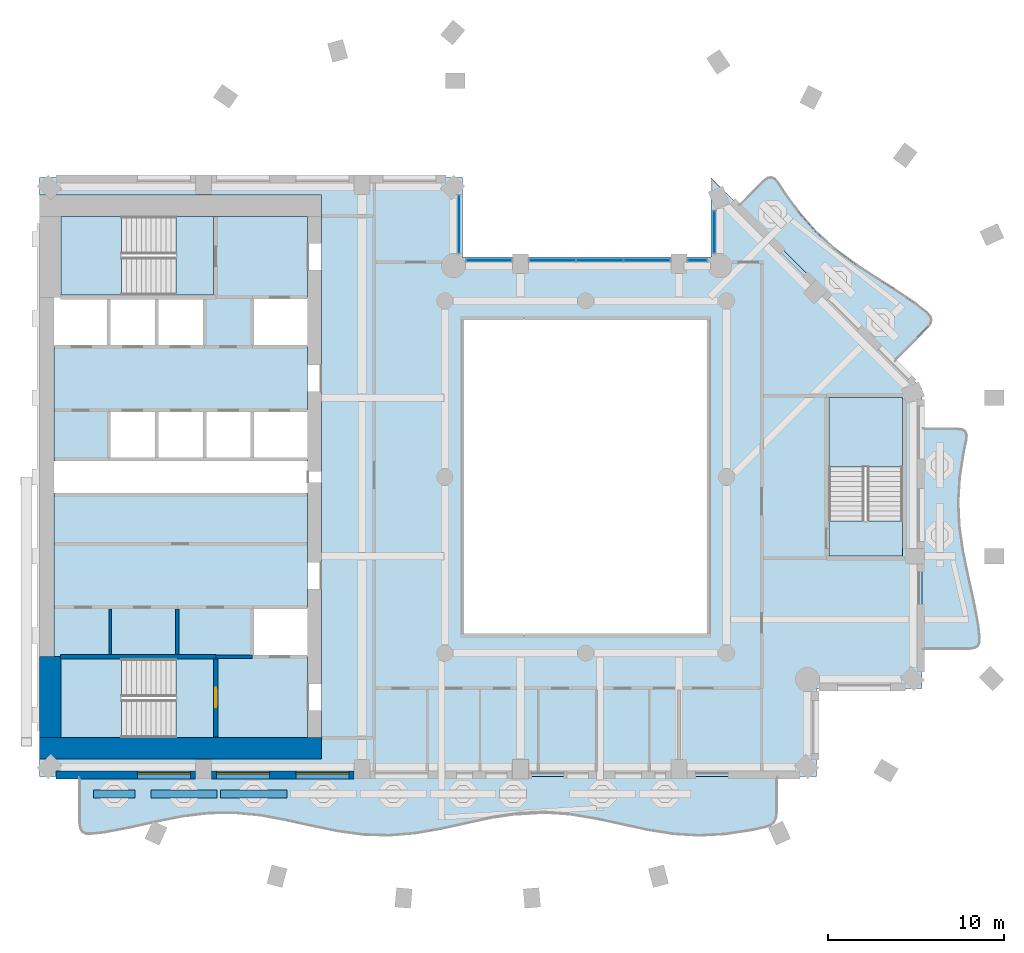
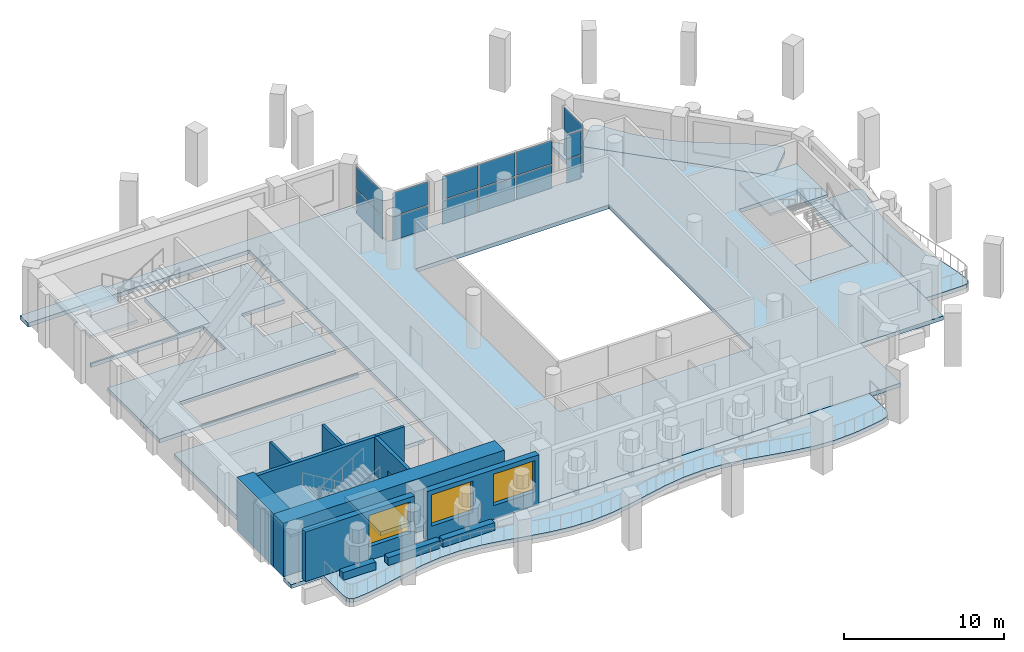
# One storey, part 3 of 16: 14 plates, 12 slabs, 12 walls, 3 windows, 1 door, 4 openings, 8 elements without a shape of their own.
"""IFC4 building model written with IfcOpenShell, lengths in metres."""

import ifcopenshell
import ifcopenshell.guid

model = None  # the IFC model being written
_history = None  # IfcOwnerHistory: only IFC2X3 demands one
_inside = {}  # id of a spatial element -> (the spatial element, [elements in it])
_under = {}  # id of a project, library or spatial element -> (it, [spatial elements below it])
_declared = {}  # id of a project -> (the project, [libraries it declares])
_typed = {}  # id of a type object -> (the type object, [elements of that type])
_made_of = {}  # id of a material, layer set ... -> (it, [elements and type objects made of it])


def new_model(schema):
    """Start an empty IFC model of exactly this schema.

    Asked for "IFC4X3", IfcOpenShell would pick the latest addendum, in which some entities
    have other attributes; the version numbers below select the first issue.
    IFC2X3 requires an IfcOwnerHistory on every rooted entity: one is made here for all.
    """
    global model, _history
    if schema == "IFC4X3":
        model = ifcopenshell.file(schema_version=(4, 3, 0, 0))
    else:
        model = ifcopenshell.file(schema=schema)
    _inside.clear()
    _under.clear()
    _declared.clear()
    _typed.clear()
    _made_of.clear()
    _history = None
    if model.schema == "IFC2X3":
        org = make("IfcOrganization", Name="unknown")
        user = make(
            "IfcPersonAndOrganization",
            ThePerson=make("IfcPerson", FamilyName="unknown"),
            TheOrganization=org,
        )
        app = make(
            "IfcApplication",
            ApplicationDeveloper=org,
            Version="unknown",
            ApplicationFullName="unknown",
            ApplicationIdentifier="unknown",
        )
        _history = make(
            "IfcOwnerHistory",
            OwningUser=user,
            OwningApplication=app,
            ChangeAction="ADDED",
            CreationDate=0,
        )
    return model


def make(cls, **values):
    """One entity of the class cls with the attributes given. An attribute that is None is left unset."""
    return model.create_entity(
        cls, **{name: value for name, value in values.items() if value is not None}
    )


def rooted(cls, **values):
    """An entity with a GlobalId (a new one), such as an element, a storey or a relation."""
    return make(cls, GlobalId=ifcopenshell.guid.new(), OwnerHistory=_history, **values)


def si_unit(unit_type, name, prefix=None):
    """IfcSIUnit, for example si_unit("LENGTHUNIT", "METRE", prefix="MILLI")."""
    return make("IfcSIUnit", UnitType=unit_type, Prefix=prefix, Name=name)


def assignment(units):
    """IfcUnitAssignment: the units of a project."""
    return None if units is None else make("IfcUnitAssignment", Units=units)


def point(xyz):
    """IfcCartesianPoint."""
    return None if xyz is None else make("IfcCartesianPoint", Coordinates=xyz)


def direction(xyz):
    """IfcDirection."""
    return None if xyz is None else make("IfcDirection", DirectionRatios=xyz)


def frame(location, z_axis=None, x_axis=None):
    """IfcAxis2Placement3D, a coordinate frame: its origin and axes. An axis left out is left unset."""
    return make(
        "IfcAxis2Placement3D",
        Location=point(location),
        Axis=direction(z_axis),
        RefDirection=direction(x_axis),
    )


def frame_2d(location, x_axis=None):
    """IfcAxis2Placement2D, a coordinate frame in the plane: its origin and x axis."""
    return make(
        "IfcAxis2Placement2D", Location=point(location), RefDirection=direction(x_axis)
    )


def origin():
    """The frame at (0, 0, 0) with its axes left unset."""
    return frame((0.0, 0.0, 0.0))


def origin_2d():
    """The frame at (0, 0) in the plane with its x axis left unset."""
    return frame_2d((0.0, 0.0))


def place(relative_to, where):
    """IfcLocalPlacement: puts the frame where relative to a parent placement (None: the world)."""
    return make(
        "IfcLocalPlacement", PlacementRelTo=relative_to, RelativePlacement=where
    )


def context(
    kind, dimensions, precision=None, world=None, true_north=None, identifier=None
):
    """IfcGeometricRepresentationContext, for example the 3D "Model" context."""
    return make(
        "IfcGeometricRepresentationContext",
        ContextIdentifier=identifier,
        ContextType=kind,
        CoordinateSpaceDimension=dimensions,
        Precision=precision,
        WorldCoordinateSystem=world,
        TrueNorth=true_north,
    )


def subcontext(parent, identifier, kind, view, scale=None):
    """IfcGeometricRepresentationSubContext, for example "Body" below "Model"."""
    return make(
        "IfcGeometricRepresentationSubContext",
        ContextIdentifier=identifier,
        ContextType=kind,
        ParentContext=parent,
        TargetScale=scale,
        TargetView=view,
    )


def project(units=None, contexts=None):
    """IfcProject with its units and contexts."""
    return rooted(
        "IfcProject",
        Name="project",
        RepresentationContexts=contexts,
        UnitsInContext=assignment(units),
    )


def spatial(cls, under=None, at=None, **own):
    """A site, building, storey or space (cls), placed at a placement, below another one or the project."""
    s = rooted(cls, ObjectPlacement=at, **own)
    if under is not None:
        _under.setdefault(under.id(), (under, []))[1].append(s)
    return s


def polyline(points):
    """IfcPolyline through the points."""
    return make("IfcPolyline", Points=[point(p) for p in points])


def profile(cls, at=None, kind="AREA", **sizes):
    """A parametric profile (cls). Its sizes go by their IFC names, for example OverallWidth=200.0."""
    return make(cls, ProfileType=kind, Position=at, **sizes)


def rectangle(**sizes):
    """IfcRectangleProfileDef."""
    return profile("IfcRectangleProfileDef", **sizes)


def outline(outer, holes=None, kind="AREA"):
    """IfcArbitraryClosedProfileDef: a profile drawn as a closed curve; with holes, ...WithVoids."""
    if holes is None:
        return make("IfcArbitraryClosedProfileDef", ProfileType=kind, OuterCurve=outer)
    return make(
        "IfcArbitraryProfileDefWithVoids",
        ProfileType=kind,
        OuterCurve=outer,
        InnerCurves=holes,
    )


def extrude(swept, where, along, depth):
    """IfcExtrudedAreaSolid: the profile swept, set in the frame where, extruded along a direction by depth."""
    return make(
        "IfcExtrudedAreaSolid",
        SweptArea=swept,
        Position=where,
        ExtrudedDirection=direction(along),
        Depth=depth,
    )


def shape(context_of_items, identifier, shape_type, items):
    """IfcShapeRepresentation: the items that make up one representation, for example the "Body"."""
    return make(
        "IfcShapeRepresentation",
        ContextOfItems=context_of_items,
        RepresentationIdentifier=identifier,
        RepresentationType=shape_type,
        Items=items,
    )


def material(Name=None, Category=None):
    """IfcMaterial."""
    return make("IfcMaterial", Name=Name, Category=Category)


def layer(
    of_material, thickness, ventilated=None, Name=None, Category=None, Priority=None
):
    """IfcMaterialLayer: one layer of a wall or slab, of a material (None: an air gap)."""
    return make(
        "IfcMaterialLayer",
        Material=of_material,
        LayerThickness=thickness,
        IsVentilated=ventilated,
        Name=Name,
        Category=Category,
        Priority=Priority,
    )


def layer_set(layers, Name=None):
    """IfcMaterialLayerSet."""
    return make("IfcMaterialLayerSet", MaterialLayers=layers, LayerSetName=Name)


def made_of(thing, what):
    """Note that an element or type object is made of a material, layer set ...; save() writes the relation."""
    if what is not None:
        _made_of.setdefault(what.id(), (what, []))[1].append(thing)
    return thing


def type_object(cls, material=None, **own):
    """A type object (cls), such as IfcWallType, which elements share."""
    return made_of(rooted(cls, **own), material)


def element(
    cls,
    number,
    at=None,
    inside=None,
    cuts=None,
    type_object=None,
    material=None,
    context=None,
    identifier="Body",
    shape_type=None,
    held_by="IfcProductDefinitionShape",
    body=None,
    shapes=None,
    **own,
):
    """One element of the class cls, such as IfcWall. Its Tag is "e" and its number.

    at: its placement. inside: the storey or other place that contains it. cuts: it is an
    opening in that element (IfcRelVoidsElement). A single representation is given by context,
    identifier, shape_type and body (its items); several are given by shapes. held_by: the class
    of the entity that holds the representations. save() writes the other relations.
    """
    e = rooted(cls, Tag="e%d" % number, ObjectPlacement=at, **own)
    if body is not None:
        shapes = [shape(context, identifier, shape_type, body)]
    if shapes is not None:
        e.Representation = make(held_by, Representations=shapes)
    if inside is not None:
        _inside.setdefault(inside.id(), (inside, []))[1].append(e)
    if cuts is not None:
        rooted(
            "IfcRelVoidsElement", RelatingBuildingElement=cuts, RelatedOpeningElement=e
        )
    if type_object is not None:
        _typed.setdefault(type_object.id(), (type_object, []))[1].append(e)
    return made_of(e, material)


def fill(opening, filler):
    """IfcRelFillsElement: the door or window that sits in an opening."""
    return rooted(
        "IfcRelFillsElement",
        RelatingOpeningElement=opening,
        RelatedBuildingElement=filler,
    )


def aggregate(whole, parts):
    """IfcRelAggregates: a whole, such as a stair, and the parts it consists of."""
    return rooted("IfcRelAggregates", RelatingObject=whole, RelatedObjects=parts)


def save(model, path):
    """Write the relations noted so far, then the file.

    IfcRelAggregates (storeys below a building ...), IfcRelContainedInSpatialStructure (elements
    in a storey), IfcRelDefinesByType, IfcRelAssociatesMaterial and IfcRelDeclares: one each for
    every whole, place, type object, material and project.
    """
    for whole, parts in _under.values():
        aggregate(whole, parts)
    for where, things in _inside.values():
        rooted(
            "IfcRelContainedInSpatialStructure",
            RelatedElements=things,
            RelatingStructure=where,
        )
    for kind, things in _typed.values():
        rooted("IfcRelDefinesByType", RelatedObjects=things, RelatingType=kind)
    for what, things in _made_of.values():
        rooted("IfcRelAssociatesMaterial", RelatedObjects=things, RelatingMaterial=what)
    for by, libraries in _declared.values():
        rooted("IfcRelDeclares", RelatingContext=by, RelatedDefinitions=libraries)
    model.write(path)


model = new_model("IFC4")

# Units and contexts
model_context = context("Model", 3, precision=1e-05, world=origin(), true_north=direction((0.0, 1.0)))
body_context = subcontext(model_context, "Body", "Model", "MODEL_VIEW")
ifc_project = project(units=[si_unit("LENGTHUNIT", "METRE"), si_unit("AREAUNIT", "SQUARE_METRE"), si_unit("VOLUMEUNIT", "CUBIC_METRE"), si_unit("PLANEANGLEUNIT", "RADIAN"), si_unit("MASSUNIT", "GRAM", prefix="KILO")], contexts=[model_context])

# Site, building, storey
site_placement = place(None, origin())
site = spatial("IfcSite", under=ifc_project, at=site_placement, CompositionType="ELEMENT")
building_placement = place(site_placement, origin())
building = spatial("IfcBuilding", under=site, at=building_placement, Name="Cypress Arch Tower", CompositionType="ELEMENT")
storey_placement = place(building_placement, frame((0.0, 0.0, 172.800048828125)))
storey = spatial("IfcBuildingStorey", under=building, at=storey_placement, Name="L37", CompositionType="ELEMENT", Elevation=172.800048828125)

# Slabs
ifc_material_1 = material(Name="Concrete C40/50", Category="concrete")
ifc_layer_1 = layer(ifc_material_1, 0.300048828125)
ifc_layer_set_1 = layer_set([ifc_layer_1], Name="Balcony slab BS300")
slab_type_1 = type_object("IfcSlabType", Name="Balcony slab BS300", PredefinedType="USERDEFINED", material=ifc_layer_set_1)
slab_1_placement = place(storey_placement, frame((0.0, 0.0, -0.300048828125)))
element("IfcSlab", 1, at=slab_1_placement, inside=storey, type_object=slab_type_1, Name="Balcony slab L37-B01", ObjectType="BALCONY SLAB", PredefinedType="USERDEFINED", context=body_context, shape_type="SweptSolid", body=[
    extrude(outline(polyline([(-27.75, -17.0), (-27.75, -19.670166015625), (-27.708740234375, -19.9560546875), (-27.5849609375, -20.14990234375), (-27.378662109375, -20.25146484375), (-27.090087890625, -20.260986328125), (-26.283447265625, -20.17138671875), (-24.816650390625, -19.88916015625), (-23.35009765625, -19.56005859375), (-21.88330078125, -19.2685546875), (-20.416748046875, -19.08935546875), (-18.949951171875, -19.068359375), (-17.4833984375, -19.2109375), (-16.0166015625, -19.48046875), (-14.550048828125, -19.80810546875), (-13.083251953125, -20.109375), (-11.61669921875, -20.3076171875), (-10.14990234375, -20.3515625), (-8.683349609375, -20.22998046875), (-7.216552734375, -19.97412109375), (-5.75, -19.649658203125), (-4.283447265625, -19.33984375), (-2.816650390625, -19.123779296875), (-1.35009765625, -19.05712890625), (0.11669921875, -19.1572265625), (1.583251953125, -19.39794921875), (3.050048828125, -19.7177734375), (4.5166015625, -20.03466796875), (5.9833984375, -20.267333984375), (7.449951171875, -20.356201171875), (8.916748046875, -20.278564453125), (10.38330078125, -20.053955078125), (11.18994140625, -19.881591796875), (11.478759765625, -19.777587890625), (11.68505859375, -19.60693359375), (11.808837890625, -19.36962890625), (11.85009765625, -19.0654296875), (11.85009765625, -17.0), (-27.75, -17.0)])), origin(), (0.0, 0.0, 1.0), 0.300048828125),
])
slab_2_placement = place(storey_placement, frame((0.0, 0.0, -0.300048828125)))
element("IfcSlab", 2, at=slab_2_placement, inside=storey, type_object=slab_type_1, Name="Balcony slab L37-B04", ObjectType="BALCONY SLAB", PredefinedType="USERDEFINED", context=body_context, shape_type="SweptSolid", body=[
    extrude(outline(polyline([(20.10009765625, -9.75), (22.805419921875, -9.75), (23.076416015625, -9.7109375), (23.260009765625, -9.59375), (23.356689453125, -9.3984375), (23.366455078125, -9.125), (23.283447265625, -8.361083984375), (23.022705078125, -6.97216796875), (22.712158203125, -5.583251953125), (22.42333984375, -4.1943359375), (22.22265625, -2.8056640625), (22.156494140625, -1.416748046875), (22.240234375, -0.02783203125), (22.454345703125, 1.361083984375), (22.616943359375, 2.125), (22.635009765625, 2.3984375), (22.556640625, 2.59375), (22.382080078125, 2.7109375), (22.11083984375, 2.75), (20.10009765625, 2.75), (20.10009765625, -9.75)])), origin(), (0.0, 0.0, 1.0), 0.300048828125),
])
slab_3_placement = place(storey_placement, frame((0.0, 0.0, -0.300048828125)))
element("IfcSlab", 3, at=slab_3_placement, inside=storey, type_object=slab_type_1, Name="Balcony slab L37-B05", ObjectType="BALCONY SLAB", PredefinedType="USERDEFINED", context=body_context, shape_type="SweptSolid", body=[
    extrude(outline(polyline([(18.509033203125, 6.591064453125), (20.423095703125, 8.505126953125), (20.586669921875, 8.7236328125), (20.633544921875, 8.93603515625), (20.56396484375, 9.14208984375), (20.3779296875, 9.341796875), (19.780517578125, 9.822265625), (18.6171875, 10.6181640625), (17.418212890625, 11.37890625), (16.234375, 12.154541015625), (15.1123046875, 12.991943359375), (14.08447265625, 13.923828125), (13.162109375, 14.961181640625), (12.33203125, 16.090576171875), (11.907470703125, 16.74365234375), (11.727294921875, 16.94921875), (11.5341796875, 17.03173828125), (11.328125, 16.990966796875), (11.109130859375, 16.8271484375), (9.69091796875, 15.408935546875), (18.509033203125, 6.591064453125)])), origin(), (0.0, 0.0, 1.0), 0.300048828125),
])
ifc_material_2 = material(Name="Concrete C40/50", Category="concrete")
ifc_layer_2 = layer(ifc_material_2, 0.300048828125)
ifc_layer_set_2 = layer_set([ifc_layer_2], Name="Core floor CF300")
slab_type_2 = type_object("IfcSlabType", Name="Core floor CF300", PredefinedType="FLOOR", material=ifc_layer_set_2)
slab_4_placement = place(storey_placement, frame((0.0, 0.0, -0.300048828125)))
element("IfcSlab", 4, at=slab_4_placement, inside=storey, type_object=slab_type_2, Name="Core floor", PredefinedType="FLOOR", context=body_context, shape_type="SweptSolid", body=[
    extrude(outline(polyline([(-28.800048828125, -10.199951171875), (-29.199951171875, -10.199951171875), (-29.199951171875, -0.89990234375), (-15.199951171875, -0.89990234375), (-14.800048828125, -0.89990234375), (-14.800048828125, -7.39990234375), (-15.199951171875, -7.39990234375), (-17.919921875, -7.39990234375), (-17.919921875, -10.199951171875), (-15.199951171875, -10.199951171875), (-14.800048828125, -10.199951171875), (-14.800048828125, -14.800048828125), (-15.199951171875, -14.800048828125), (-20.125, -14.800048828125), (-20.125, -10.324951171875), (-22.27490234375, -10.324951171875), (-28.800048828125, -10.324951171875), (-28.800048828125, -10.199951171875)])), origin(), (0.0, 0.0, 1.0), 0.300048828125),
])
slab_5_placement = place(storey_placement, frame((0.0, 0.0, -0.300048828125)))
element("IfcSlab", 5, at=slab_5_placement, inside=storey, type_object=slab_type_2, Name="Core floor", PredefinedType="FLOOR", context=body_context, shape_type="SweptSolid", body=[
    extrude(outline(polyline([(-22.27490234375, -10.324951171875), (-22.27490234375, -14.800048828125), (-20.125, -14.800048828125), (-20.125, -10.324951171875), (-22.27490234375, -10.324951171875)])), origin(), (0.0, 0.0, 1.0), 0.300048828125),
])
slab_6_placement = place(storey_placement, frame((0.0, 0.0, -0.300048828125)))
element("IfcSlab", 6, at=slab_6_placement, inside=storey, type_object=slab_type_2, Name="Core floor", PredefinedType="FLOOR", context=body_context, shape_type="SweptSolid", body=[
    extrude(outline(polyline([(-20.125, 14.800048828125), (-22.27490234375, 14.800048828125), (-22.27490234375, 10.324951171875), (-20.125, 10.324951171875), (-20.125, 14.800048828125)])), origin(), (0.0, 0.0, 1.0), 0.300048828125),
])
slab_7_placement = place(storey_placement, frame((0.0, 0.0, -0.300048828125)))
element("IfcSlab", 7, at=slab_7_placement, inside=storey, type_object=slab_type_2, Name="Stair floor landing", PredefinedType="FLOOR", context=body_context, shape_type="SweptSolid", body=[
    extrude(outline(polyline([(19.0, -4.5), (19.0, -2.5), (14.800048828125, -2.5), (14.800048828125, -4.5), (19.0, -4.5)])), origin(), (0.0, 0.0, 1.0), 0.300048828125),
])
slab_8_placement = place(storey_placement, frame((0.0, 0.0, -0.300048828125)))
element("IfcSlab", 8, at=slab_8_placement, inside=storey, type_object=slab_type_2, Name="Core floor", PredefinedType="FLOOR", context=body_context, shape_type="SweptSolid", body=[
    extrude(outline(polyline([(-20.639892578125, 7.39990234375), (-20.639892578125, 10.199951171875), (-23.360107421875, 10.199951171875), (-26.080078125, 10.199951171875), (-28.800048828125, 10.199951171875), (-28.800048828125, 10.324951171875), (-22.27490234375, 10.324951171875), (-20.125, 10.324951171875), (-20.125, 14.800048828125), (-15.199951171875, 14.800048828125), (-14.800048828125, 14.800048828125), (-14.800048828125, 10.199951171875), (-15.199951171875, 10.199951171875), (-17.919921875, 10.199951171875), (-17.919921875, 7.39990234375), (-15.199951171875, 7.39990234375), (-14.800048828125, 7.39990234375), (-14.800048828125, 3.800048828125), (-15.199951171875, 3.800048828125), (-17.919921875, 3.800048828125), (-20.639892578125, 3.800048828125), (-23.360107421875, 3.800048828125), (-26.080078125, 3.800048828125), (-26.080078125, 1.5), (-26.080078125, 1.5), (-26.080078125, 1.0), (-25.679931640625, 1.0), (-23.360107421875, 1.0), (-20.639892578125, 1.0), (-17.919921875, 1.0), (-15.199951171875, 1.0), (-14.800048828125, 1.0), (-14.800048828125, 0.89990234375), (-15.199951171875, 0.89990234375), (-25.679931640625, 0.89990234375), (-26.47998046875, 0.89990234375), (-29.199951171875, 0.89990234375), (-29.199951171875, 1.5), (-29.199951171875, 7.39990234375), (-26.080078125, 7.39990234375), (-23.360107421875, 7.39990234375), (-20.639892578125, 7.39990234375)])), origin(), (0.0, 0.0, 1.0), 0.300048828125),
])

# Curtain wall, plates
ifc_material_3 = material(Name="Anodised aluminium, bronze finish, clear laminated double glazing", Category="aluminium")
curtain_wall_type = type_object("IfcCurtainWallType", Name="Curtain wall CW7 slot glazing", PredefinedType="NOTDEFINED", material=ifc_material_3)
curtain_wall_1_placement = place(storey_placement, origin())
curtain_wall_1 = element("IfcCurtainWall", 9, at=curtain_wall_1_placement, inside=storey, type_object=curtain_wall_type, Name="Curtain wall L37 slot B06.0", PredefinedType="NOTDEFINED")
ifc_material_4 = material(Name="Clear laminated double glazing", Category="glass")
ifc_layer_3 = layer(ifc_material_4, 0.0439453125)
ifc_layer_set_3 = layer_set([ifc_layer_3], Name="Glass panel CW7 44")
plate_type = type_object("IfcPlateType", Name="Glass panel CW7 44", PredefinedType="CURTAIN_PANEL", material=ifc_layer_set_3)
plate_1_placement = place(storey_placement, frame((8.300048828125, 13.912353515625, 0.0849609375), z_axis=(0.0, 0.0, 1.0), x_axis=(0.0, -1.0, 0.0)))
plate_1 = element("IfcPlate", 10, at=plate_1_placement, type_object=plate_type, Name="CW7 panel 1.1", PredefinedType="CURTAIN_PANEL", context=body_context, shape_type="SweptSolid", body=[
    extrude(rectangle(XDim=2.345458984375, YDim=0.0439453125, at=origin_2d()), origin(), (0.0, 0.0, 1.0), 1.7724609375),
])
plate_2_placement = place(storey_placement, frame((8.300048828125, 13.912353515625, 1.9423828125), z_axis=(0.0, 0.0, 1.0), x_axis=(0.0, -1.0, 0.0)))
plate_2 = element("IfcPlate", 11, at=plate_2_placement, type_object=plate_type, Name="CW7 panel 1.2", PredefinedType="CURTAIN_PANEL", context=body_context, shape_type="SweptSolid", body=[
    extrude(rectangle(XDim=2.345458984375, YDim=0.0439453125, at=origin_2d()), origin(), (0.0, 0.0, 1.0), 1.7724609375),
])
aggregate(curtain_wall_1, [plate_1, plate_2])

curtain_wall_2_placement = place(storey_placement, origin())
curtain_wall_2 = element("IfcCurtainWall", 12, at=curtain_wall_2_placement, inside=storey, type_object=curtain_wall_type, Name="Curtain wall L37 slot B07.0", PredefinedType="NOTDEFINED")
plate_3_placement = place(storey_placement, frame((7.34765625, 12.300048828125, 0.0849609375), z_axis=(0.0, 0.0, 1.0), x_axis=(-1.0, 0.0, 0.0)))
plate_3 = element("IfcPlate", 13, at=plate_3_placement, type_object=plate_type, Name="CW7 panel 1.1", PredefinedType="CURTAIN_PANEL", context=body_context, shape_type="SweptSolid", body=[
    extrude(rectangle(XDim=1.025390625, YDim=0.0439453125, at=origin_2d()), origin(), (0.0, 0.0, 1.0), 1.7724609375),
])
plate_4_placement = place(storey_placement, frame((7.34765625, 12.300048828125, 1.9423828125), z_axis=(0.0, 0.0, 1.0), x_axis=(-1.0, 0.0, 0.0)))
plate_4 = element("IfcPlate", 14, at=plate_4_placement, type_object=plate_type, Name="CW7 panel 1.2", PredefinedType="CURTAIN_PANEL", context=body_context, shape_type="SweptSolid", body=[
    extrude(rectangle(XDim=1.025390625, YDim=0.0439453125, at=origin_2d()), origin(), (0.0, 0.0, 1.0), 1.7724609375),
])
aggregate(curtain_wall_2, [plate_3, plate_4])

curtain_wall_3_placement = place(storey_placement, origin())
curtain_wall_3 = element("IfcCurtainWall", 15, at=curtain_wall_3_placement, inside=storey, type_object=curtain_wall_type, Name="Curtain wall L37 slot B07.1", PredefinedType="NOTDEFINED")
plate_5_placement = place(storey_placement, frame((4.478759765625, 12.300048828125, 0.0849609375), z_axis=(0.0, 0.0, 1.0), x_axis=(-1.0, 0.0, 0.0)))
plate_5 = element("IfcPlate", 16, at=plate_5_placement, type_object=plate_type, Name="CW7 panel 1.1", PredefinedType="CURTAIN_PANEL", context=body_context, shape_type="SweptSolid", body=[
    extrude(rectangle(XDim=2.572509765625, YDim=0.0439453125, at=origin_2d()), origin(), (0.0, 0.0, 1.0), 1.7724609375),
])
plate_6_placement = place(storey_placement, frame((4.478759765625, 12.300048828125, 1.9423828125), z_axis=(0.0, 0.0, 1.0), x_axis=(-1.0, 0.0, 0.0)))
plate_6 = element("IfcPlate", 17, at=plate_6_placement, type_object=plate_type, Name="CW7 panel 1.2", PredefinedType="CURTAIN_PANEL", context=body_context, shape_type="SweptSolid", body=[
    extrude(rectangle(XDim=2.572509765625, YDim=0.0439453125, at=origin_2d()), origin(), (0.0, 0.0, 1.0), 1.7724609375),
])
plate_7_placement = place(storey_placement, frame((1.800048828125, 12.300048828125, 0.0849609375), z_axis=(0.0, 0.0, 1.0), x_axis=(-1.0, 0.0, 0.0)))
plate_7 = element("IfcPlate", 18, at=plate_7_placement, type_object=plate_type, Name="CW7 panel 2.1", PredefinedType="CURTAIN_PANEL", context=body_context, shape_type="SweptSolid", body=[
    extrude(rectangle(XDim=2.614990234375, YDim=0.0439453125, at=origin_2d()), origin(), (0.0, 0.0, 1.0), 1.7724609375),
])
plate_8_placement = place(storey_placement, frame((1.800048828125, 12.300048828125, 1.9423828125), z_axis=(0.0, 0.0, 1.0), x_axis=(-1.0, 0.0, 0.0)))
plate_8 = element("IfcPlate", 19, at=plate_8_placement, type_object=plate_type, Name="CW7 panel 2.2", PredefinedType="CURTAIN_PANEL", context=body_context, shape_type="SweptSolid", body=[
    extrude(rectangle(XDim=2.614990234375, YDim=0.0439453125, at=origin_2d()), origin(), (0.0, 0.0, 1.0), 1.7724609375),
])
plate_9_placement = place(storey_placement, frame((-0.878662109375, 12.300048828125, 0.0849609375), z_axis=(0.0, 0.0, 1.0), x_axis=(-1.0, 0.0, 0.0)))
plate_9 = element("IfcPlate", 20, at=plate_9_placement, type_object=plate_type, Name="CW7 panel 3.1", PredefinedType="CURTAIN_PANEL", context=body_context, shape_type="SweptSolid", body=[
    extrude(rectangle(XDim=2.572509765625, YDim=0.0439453125, at=origin_2d()), origin(), (0.0, 0.0, 1.0), 1.7724609375),
])
plate_10_placement = place(storey_placement, frame((-0.878662109375, 12.300048828125, 1.9423828125), z_axis=(0.0, 0.0, 1.0), x_axis=(-1.0, 0.0, 0.0)))
plate_10 = element("IfcPlate", 21, at=plate_10_placement, type_object=plate_type, Name="CW7 panel 3.2", PredefinedType="CURTAIN_PANEL", context=body_context, shape_type="SweptSolid", body=[
    extrude(rectangle(XDim=2.572509765625, YDim=0.0439453125, at=origin_2d()), origin(), (0.0, 0.0, 1.0), 1.7724609375),
])
aggregate(curtain_wall_3, [plate_5, plate_6, plate_7, plate_8, plate_9, plate_10])

curtain_wall_4_placement = place(storey_placement, origin())
curtain_wall_4 = element("IfcCurtainWall", 22, at=curtain_wall_4_placement, inside=storey, type_object=curtain_wall_type, Name="Curtain wall L37 slot B07.2", PredefinedType="NOTDEFINED")
plate_11_placement = place(storey_placement, frame((-4.497802734375, 12.300048828125, 0.0849609375), z_axis=(0.0, 0.0, 1.0), x_axis=(-1.0, 0.0, 0.0)))
plate_11 = element("IfcPlate", 23, at=plate_11_placement, type_object=plate_type, Name="CW7 panel 1.1", PredefinedType="CURTAIN_PANEL", context=body_context, shape_type="SweptSolid", body=[
    extrude(rectangle(XDim=2.525390625, YDim=0.0439453125, at=origin_2d()), origin(), (0.0, 0.0, 1.0), 1.7724609375),
])
plate_12_placement = place(storey_placement, frame((-4.497802734375, 12.300048828125, 1.9423828125), z_axis=(0.0, 0.0, 1.0), x_axis=(-1.0, 0.0, 0.0)))
plate_12 = element("IfcPlate", 24, at=plate_12_placement, type_object=plate_type, Name="CW7 panel 1.2", PredefinedType="CURTAIN_PANEL", context=body_context, shape_type="SweptSolid", body=[
    extrude(rectangle(XDim=2.525390625, YDim=0.0439453125, at=origin_2d()), origin(), (0.0, 0.0, 1.0), 1.7724609375),
])
aggregate(curtain_wall_4, [plate_11, plate_12])

curtain_wall_5_placement = place(storey_placement, origin())
curtain_wall_5 = element("IfcCurtainWall", 25, at=curtain_wall_5_placement, inside=storey, type_object=curtain_wall_type, Name="Curtain wall L37 slot B08.0", PredefinedType="NOTDEFINED")
plate_13_placement = place(storey_placement, frame((-6.199951171875, 14.359130859375, 0.0849609375), z_axis=(0.0, 0.0, 1.0), x_axis=(0.0, 1.0, 0.0)))
plate_13 = element("IfcPlate", 26, at=plate_13_placement, type_object=plate_type, Name="CW7 panel 1.1", PredefinedType="CURTAIN_PANEL", context=body_context, shape_type="SweptSolid", body=[
    extrude(rectangle(XDim=3.239013671875, YDim=0.0439453125, at=origin_2d()), origin(), (0.0, 0.0, 1.0), 1.7724609375),
])
plate_14_placement = place(storey_placement, frame((-6.199951171875, 14.359130859375, 1.9423828125), z_axis=(0.0, 0.0, 1.0), x_axis=(0.0, 1.0, 0.0)))
plate_14 = element("IfcPlate", 27, at=plate_14_placement, type_object=plate_type, Name="CW7 panel 1.2", PredefinedType="CURTAIN_PANEL", context=body_context, shape_type="SweptSolid", body=[
    extrude(rectangle(XDim=3.239013671875, YDim=0.0439453125, at=origin_2d()), origin(), (0.0, 0.0, 1.0), 1.7724609375),
])
aggregate(curtain_wall_5, [plate_13, plate_14])

# Slab
ifc_material_5 = material(Name="Concrete C40/50", Category="concrete")
ifc_layer_4 = layer(ifc_material_5, 0.300048828125)
ifc_layer_set_4 = layer_set([ifc_layer_4], Name="PT flat slab 300 Concrete C40/50")
slab_type_3 = type_object("IfcSlabType", Name="PT flat slab 300 Concrete C40/50", PredefinedType="FLOOR", material=ifc_layer_set_4)
slab_9_placement = place(storey_placement, frame((0.0, 0.0, -0.300048828125)))
element("IfcSlab", 28, at=slab_9_placement, inside=storey, type_object=slab_type_3, Name="Floor slab L37", PredefinedType="FLOOR", context=body_context, shape_type="SweptSolid", body=[
    extrude(outline(polyline([(-30.0, 17.0), (-6.0, 17.0), (-6.0, 12.5), (8.10009765625, 12.5), (8.10009765625, 17.0), (20.10009765625, 5.0), (20.10009765625, -12.0), (14.10009765625, -12.0), (14.10009765625, -17.0), (-30.0, -17.0), (-30.0, -16.0), (-14.0, -16.0), (-14.0, 16.0), (-30.0, 16.0), (-30.0, 17.0)]), holes=[polyline([(-6.0, -9.0), (8.0, -9.0), (8.0, 9.0), (-6.0, 9.0), (-6.0, -9.0)]), polyline([(14.800048828125, -4.5), (19.0, -4.5), (19.0, 4.5), (14.800048828125, 4.5), (14.800048828125, -4.5)])]), origin(), (0.0, 0.0, 1.0), 0.300048828125),
])

# Stair, slab
ifc_material_6 = material(Name="Concrete C40/50", Category="concrete")
stair_type_1 = type_object("IfcStairType", Name="Exit stair ES1708-215", PredefinedType="HALF_TURN_STAIR", material=ifc_material_6)
stair_1_placement = place(storey_placement, origin())
stair_1 = element("IfcStair", 29, at=stair_1_placement, inside=storey, type_object=stair_type_1, Name="L37 Exit stair A", PredefinedType="HALF_TURN_STAIR")
ifc_material_7 = material(Name="Concrete C40/50", Category="concrete")
ifc_layer_5 = layer(ifc_material_7, 0.199951171875)
ifc_layer_set_5 = layer_set([ifc_layer_5], Name="Stair landing SL200")
slab_type_4 = type_object("IfcSlabType", Name="Stair landing SL200", PredefinedType="LANDING", material=ifc_layer_set_5)
slab_10_placement = place(storey_placement, frame((0.0, 0.0, 1.849853515625)))
slab_10 = element("IfcSlab", 30, at=slab_10_placement, type_object=slab_type_4, Name="A landing 1", PredefinedType="LANDING", context=body_context, shape_type="SweptSolid", body=[
    extrude(outline(polyline([(-25.35498046875, -10.324951171875), (-28.800048828125, -10.324951171875), (-28.800048828125, -14.800048828125), (-25.35498046875, -14.800048828125), (-25.35498046875, -10.324951171875)])), origin(), (0.0, 0.0, 1.0), 0.2001953125),
])
aggregate(stair_1, [slab_10])

stair_2_placement = place(storey_placement, origin())
stair_2 = element("IfcStair", 31, at=stair_2_placement, inside=storey, type_object=stair_type_1, Name="L37 Exit stair B", PredefinedType="HALF_TURN_STAIR")
slab_11_placement = place(storey_placement, frame((0.0, 0.0, 1.849853515625)))
slab_11 = element("IfcSlab", 32, at=slab_11_placement, type_object=slab_type_4, Name="B landing 1", PredefinedType="LANDING", context=body_context, shape_type="SweptSolid", body=[
    extrude(outline(polyline([(-25.35498046875, 14.800048828125), (-28.800048828125, 14.800048828125), (-28.800048828125, 10.324951171875), (-25.35498046875, 10.324951171875), (-25.35498046875, 14.800048828125)])), origin(), (0.0, 0.0, 1.0), 0.2001953125),
])
aggregate(stair_2, [slab_11])

ifc_material_8 = material(Name="Concrete C40/50", Category="concrete")
stair_type_2 = type_object("IfcStairType", Name="Exit stair ES1708-200", PredefinedType="HALF_TURN_STAIR", material=ifc_material_8)
stair_3_placement = place(storey_placement, origin())
stair_3 = element("IfcStair", 33, at=stair_3_placement, inside=storey, type_object=stair_type_2, Name="L37 Exit stair C", PredefinedType="HALF_TURN_STAIR")
slab_12_placement = place(storey_placement, frame((0.0, 0.0, 1.849853515625)))
slab_12 = element("IfcSlab", 34, at=slab_12_placement, type_object=slab_type_4, Name="C landing 1", PredefinedType="LANDING", context=body_context, shape_type="SweptSolid", body=[
    extrude(outline(polyline([(19.0, 0.580078125), (19.0, 4.5), (14.800048828125, 4.5), (14.800048828125, 0.580078125), (19.0, 0.580078125)])), origin(), (0.0, 0.0, 1.0), 0.2001953125),
])
aggregate(stair_3, [slab_12])

# Walls
ifc_material_9 = material(Name="Concrete C40/50, waterproofed", Category="concrete")
ifc_layer_6 = layer(ifc_material_9, 0.449951171875)
ifc_layer_set_6 = layer_set([ifc_layer_6], Name="Balcony planter wall PW450")
wall_type_1 = type_object("IfcWallType", Name="Balcony planter wall PW450", PredefinedType="SOLIDWALL", material=ifc_layer_set_6)
wall_1_placement = place(storey_placement, frame((-26.949951171875, -18.0, 0.0), z_axis=(0.0, 0.0, 1.0), x_axis=(1.0, 0.0, 0.0)))
element("IfcWall", 35, at=wall_1_placement, inside=storey, type_object=wall_type_1, Name="Balcony planter wall L37-B01.1", PredefinedType="SOLIDWALL", context=body_context, shape_type="SweptSolid", body=[
    extrude(rectangle(XDim=2.35986328125, YDim=0.449951171875, at=frame_2d((1.179931640625, 0.0))), origin(), (0.0, 0.0, 1.0), 0.599853515625),
])
for number, where, z_axis, x_axis, name in (
    (36, (-23.68994140625, -18.0, 0.0), (0.0, 0.0, 1.0), (1.0, 0.0, 0.0), "Balcony planter wall L37-B01.2"),
    (37, (-19.72998046875, -18.0, 0.0), (0.0, 0.0, 1.0), (1.0, 0.0, 0.0), "Balcony planter wall L37-B01.3"),
):
    element("IfcWall", number, at=place(storey_placement, frame(where, z_axis=z_axis, x_axis=x_axis)), inside=storey, type_object=wall_type_1, Name=name, PredefinedType="SOLIDWALL", context=body_context, shape_type="SweptSolid", body=[
        extrude(rectangle(XDim=3.760009765625, YDim=0.449951171875, at=frame_2d((1.8798828125, 0.0))), origin(), (0.0, 0.0, 1.0), 0.599853515625),
    ])

# Wall, opening, window
ifc_material_10 = material(Name="Brick (red buff blend)", Category="masonry")
ifc_layer_7 = layer(ifc_material_10, 0.449951171875)
ifc_layer_set_7 = layer_set([ifc_layer_7], Name="Brick pier and spandrel wall BW450")
wall_type_2 = type_object("IfcWallType", Name="Brick pier and spandrel wall BW450", PredefinedType="SOLIDWALL", material=ifc_layer_set_7)
wall_2_placement = place(storey_placement, frame((-29.063720703125, -16.925048828125, 0.0), z_axis=(0.0, 0.0, 1.0), x_axis=(1.0, 0.0, 0.0)))
wall_2 = element("IfcWall", 38, at=wall_2_placement, inside=storey, type_object=wall_type_2, Name="Brick wall L37 B01.0", PredefinedType="SOLIDWALL", context=body_context, shape_type="SweptSolid", body=[
    extrude(rectangle(XDim=7.913818359375, YDim=0.449951171875, at=frame_2d((3.95703125, 0.0))), origin(), (0.0, 0.0, 1.0), 3.800048828125),
])
opening_1_placement = place(wall_2_placement, frame((4.613525390625, 0.0, 1.050048828125)))
opening_1 = element("IfcOpeningElement", 39, at=opening_1_placement, cuts=wall_2, Name="Opening W300OD", PredefinedType="OPENING", context=body_context, shape_type="SweptSolid", body=[
    extrude(rectangle(XDim=3.0, YDim=2.39990234375, at=frame_2d((1.5, 1.199951171875))), frame((0.0, 0.23486328125, 0.0), z_axis=(0.0, -1.0, 0.0), x_axis=(1.0, 0.0, 0.0)), (0.0, 0.0, 1.0), 0.469970703125),
])
ifc_material_11 = material(Name="Anodised aluminium, bronze finish, laminated low-emissivity double glazing, large-missile impact rated", Category="aluminium")
window_type = type_object("IfcWindowType", Name="Window Office 3000x2400 debris-rated", PartitioningType="SINGLE_PANEL", PredefinedType="WINDOW", material=ifc_material_11)
window_1_placement = place(opening_1_placement, origin())
window_1 = element("IfcWindow", 40, at=window_1_placement, inside=storey, type_object=window_type, Name="Window L37 B01.0.2", OverallHeight=2.39990234375, OverallWidth=3.0, PartitioningType="SINGLE_PANEL", PredefinedType="WINDOW", context=body_context, shape_type="SweptSolid", body=[
    extrude(rectangle(XDim=3.0, YDim=2.39990234375, at=frame_2d((1.5, 1.199951171875))), frame((0.0, 0.135009765625, 0.0), z_axis=(0.0, -1.0, 0.0), x_axis=(1.0, 0.0, 0.0)), (0.0, 0.0, 1.0), 0.06005859375),
])
fill(opening_1, window_1)

# Wall, openings, windows
wall_3_placement = place(storey_placement, frame((-20.25, -16.925048828125, 0.0), z_axis=(0.0, 0.0, 1.0), x_axis=(1.0, 0.0, 0.0)))
wall_3 = element("IfcWall", 41, at=wall_3_placement, inside=storey, type_object=wall_type_2, Name="Brick wall L37 B01.1", PredefinedType="SOLIDWALL", context=body_context, shape_type="SweptSolid", body=[
    extrude(rectangle(XDim=8.10009765625, YDim=0.449951171875, at=frame_2d((4.050048828125, 0.0))), origin(), (0.0, 0.0, 1.0), 3.800048828125),
])
opening_2_placement = place(wall_3_placement, frame((0.300048828125, 0.0, 1.050048828125)))
opening_2 = element("IfcOpeningElement", 42, at=opening_2_placement, cuts=wall_3, Name="Opening W300OD", PredefinedType="OPENING", context=body_context, shape_type="SweptSolid", body=[
    extrude(rectangle(XDim=3.0, YDim=2.39990234375, at=frame_2d((1.5, 1.199951171875))), frame((0.0, 0.23486328125, 0.0), z_axis=(0.0, -1.0, 0.0), x_axis=(1.0, 0.0, 0.0)), (0.0, 0.0, 1.0), 0.469970703125),
])
opening_3_placement = place(wall_3_placement, frame((4.800048828125, 0.0, 1.050048828125)))
opening_3 = element("IfcOpeningElement", 43, at=opening_3_placement, cuts=wall_3, Name="Opening W300OD", PredefinedType="OPENING", context=body_context, shape_type="SweptSolid", body=[
    extrude(rectangle(XDim=3.0, YDim=2.39990234375, at=frame_2d((1.5, 1.199951171875))), frame((0.0, 0.23486328125, 0.0), z_axis=(0.0, -1.0, 0.0), x_axis=(1.0, 0.0, 0.0)), (0.0, 0.0, 1.0), 0.469970703125),
])
window_2_placement = place(opening_2_placement, origin())
window_2 = element("IfcWindow", 44, at=window_2_placement, inside=storey, type_object=window_type, Name="Window L37 B01.1.1", OverallHeight=2.39990234375, OverallWidth=3.0, PartitioningType="SINGLE_PANEL", PredefinedType="WINDOW", context=body_context, shape_type="SweptSolid", body=[
    extrude(rectangle(XDim=3.0, YDim=2.39990234375, at=frame_2d((1.5, 1.199951171875))), frame((0.0, 0.135009765625, 0.0), z_axis=(0.0, -1.0, 0.0), x_axis=(1.0, 0.0, 0.0)), (0.0, 0.0, 1.0), 0.06005859375),
])
fill(opening_2, window_2)
window_3_placement = place(opening_3_placement, origin())
window_3 = element("IfcWindow", 45, at=window_3_placement, inside=storey, type_object=window_type, Name="Window L37 B01.1.2", OverallHeight=2.39990234375, OverallWidth=3.0, PartitioningType="SINGLE_PANEL", PredefinedType="WINDOW", context=body_context, shape_type="SweptSolid", body=[
    extrude(rectangle(XDim=3.0, YDim=2.39990234375, at=frame_2d((1.5, 1.199951171875))), frame((0.0, 0.135009765625, 0.0), z_axis=(0.0, -1.0, 0.0), x_axis=(1.0, 0.0, 0.0)), (0.0, 0.0, 1.0), 0.06005859375),
])
fill(opening_3, window_3)

# Walls
ifc_material_12 = material(Name="Concrete C70/85", Category="concrete")
ifc_layer_8 = layer(ifc_material_12, 1.199951171875)
ifc_layer_set_8 = layer_set([ifc_layer_8], Name="Core wall CW1200 C70/85")
wall_type_3 = type_object("IfcWallType", Name="Core wall CW1200 C70/85", PredefinedType="SHEAR", material=ifc_layer_set_8)
wall_4_placement = place(storey_placement, frame((-30.0, -15.39990234375, 0.0), z_axis=(0.0, 0.0, 1.0), x_axis=(1.0, 0.0, 0.0)))
element("IfcWall", 46, at=wall_4_placement, inside=storey, type_object=wall_type_3, Name="Core wall", PredefinedType="SHEAR", context=body_context, shape_type="SweptSolid", body=[
    extrude(rectangle(XDim=16.0, YDim=1.199951171875, at=frame_2d((8.0, 0.0))), origin(), (0.0, 0.0, 1.0), 4.099853515625),
])
wall_5_placement = place(storey_placement, frame((-29.39990234375, -14.800048828125, 0.0), z_axis=(0.0, 0.0, 1.0), x_axis=(0.0, 1.0, 0.0)))
element("IfcWall", 47, at=wall_5_placement, inside=storey, type_object=wall_type_3, Name="Core wall", PredefinedType="SHEAR", context=body_context, shape_type="SweptSolid", body=[
    extrude(rectangle(XDim=4.60009765625, YDim=1.199951171875, at=frame_2d((2.300048828125, 0.0))), origin(), (0.0, 0.0, 1.0), 4.099853515625),
])
ifc_material_13 = material(Name="Blockwork, plastered both sides", Category="masonry")
ifc_layer_9 = layer(ifc_material_13, 0.14990234375)
ifc_layer_set_9 = layer_set([ifc_layer_9], Name="Partition PW150")
wall_type_4 = type_object("IfcWallType", Name="Partition PW150", PredefinedType="PARTITIONING", material=ifc_layer_set_9)
wall_6_placement = place(storey_placement, frame((-26.0, -10.074951171875, 0.0), z_axis=(0.0, 0.0, 1.0), x_axis=(0.0, 1.0, 0.0)))
element("IfcWall", 48, at=wall_6_placement, inside=storey, type_object=wall_type_4, Name="Partition", PredefinedType="PARTITIONING", context=body_context, shape_type="SweptSolid", body=[
    extrude(rectangle(XDim=2.574951171875, YDim=0.14990234375, at=frame_2d((1.28759765625, 0.0))), origin(), (0.0, 0.0, 1.0), 3.800048828125),
])
ifc_material_14 = material(Name="Reinforced blockwork, plastered, rated", Category="masonry")
ifc_layer_10 = layer(ifc_material_14, 0.199951171875)
ifc_layer_set_10 = layer_set([ifc_layer_10], Name="Plant and riser wall PL200")
wall_type_5 = type_object("IfcWallType", Name="Plant and riser wall PL200", PredefinedType="PARTITIONING", material=ifc_layer_set_10)
wall_7_placement = place(storey_placement, frame((-22.199951171875, -10.074951171875, 0.0), z_axis=(0.0, 0.0, 1.0), x_axis=(0.0, 1.0, 0.0)))
element("IfcWall", 49, at=wall_7_placement, inside=storey, type_object=wall_type_5, Name="Plant and riser wall", PredefinedType="PARTITIONING", context=body_context, shape_type="SweptSolid", body=[
    extrude(rectangle(XDim=2.574951171875, YDim=0.199951171875, at=frame_2d((1.28759765625, 0.0))), origin(), (0.0, 0.0, 1.0), 3.800048828125),
])
wall_8_placement = place(storey_placement, frame((-20.0, -10.199951171875, 0.0), z_axis=(0.0, 0.0, 1.0), x_axis=(1.0, 0.0, 0.0)))
element("IfcWall", 50, at=wall_8_placement, inside=storey, type_object=wall_type_5, Name="Plant and riser wall", PredefinedType="PARTITIONING", context=body_context, shape_type="SweptSolid", body=[
    extrude(rectangle(XDim=2.080078125, YDim=0.199951171875, at=frame_2d((1.0400390625, 0.0))), origin(), (0.0, 0.0, 1.0), 3.800048828125),
])
ifc_material_15 = material(Name="Concrete C50/60", Category="concrete")
ifc_layer_11 = layer(ifc_material_15, 0.25)
ifc_layer_set_11 = layer_set([ifc_layer_11], Name="Stair enclosure wall SW250")
wall_type_6 = type_object("IfcWallType", Name="Stair enclosure wall SW250", PredefinedType="SHEAR", material=ifc_layer_set_11)
wall_9_placement = place(storey_placement, frame((-28.81005859375, -10.199951171875, 0.0), z_axis=(0.0, 0.0, 1.0), x_axis=(1.0, 0.0, 0.0)))
element("IfcWall", 51, at=wall_9_placement, inside=storey, type_object=wall_type_6, Name="Stair enclosure wall", PredefinedType="SHEAR", context=body_context, shape_type="SweptSolid", body=[
    extrude(rectangle(XDim=8.81005859375, YDim=0.25, at=frame_2d((4.405029296875, 0.0))), origin(), (0.0, 0.0, 1.0), 3.800048828125),
])

# Wall, opening, door
wall_10_placement = place(storey_placement, frame((-20.0, -14.77001953125, 0.0), z_axis=(0.0, 0.0, 1.0), x_axis=(0.0, 1.0, 0.0)))
wall_10 = element("IfcWall", 52, at=wall_10_placement, inside=storey, type_object=wall_type_6, Name="Stair enclosure wall", PredefinedType="SHEAR", context=body_context, shape_type="SweptSolid", body=[
    extrude(rectangle(XDim=4.445068359375, YDim=0.25, at=frame_2d((2.22265625, 0.0))), origin(), (0.0, 0.0, 1.0), 3.800048828125),
])
opening_4_placement = place(wall_10_placement, frame((1.699951171875, 0.0, 0.0)))
opening_4 = element("IfcOpeningElement", 53, at=opening_4_placement, cuts=wall_10, Name="Opening D06", PredefinedType="OPENING", context=body_context, shape_type="SweptSolid", body=[
    extrude(rectangle(XDim=1.10009765625, YDim=2.199951171875, at=frame_2d((0.550048828125, 1.10009765625))), frame((0.0, 0.135009765625, 0.0), z_axis=(0.0, -1.0, 0.0), x_axis=(1.0, 0.0, 0.0)), (0.0, 0.0, 1.0), 0.27001953125),
])
ifc_material_16 = material(Name="Steel door, fire resisting, panic bar", Category="steel")
door_type = type_object("IfcDoorType", Name="Stair door D06 1100x2200", OperationType="SINGLE_SWING_LEFT", PredefinedType="DOOR", material=ifc_material_16)
door_placement = place(opening_4_placement, origin())
door = element("IfcDoor", 54, at=door_placement, inside=storey, type_object=door_type, Name="Stair door", OperationType="SINGLE_SWING_RIGHT", OverallHeight=2.199951171875, OverallWidth=1.10009765625, PredefinedType="DOOR", context=body_context, shape_type="SweptSolid", body=[
    extrude(rectangle(XDim=1.10009765625, YDim=2.199951171875, at=frame_2d((0.550048828125, 1.10009765625))), frame((0.0, 0.02490234375, 0.0), z_axis=(0.0, -1.0, 0.0), x_axis=(1.0, 0.0, 0.0)), (0.0, 0.0, 1.0), 0.050048828125),
])
fill(opening_4, door)

save(model, "model.ifc")
